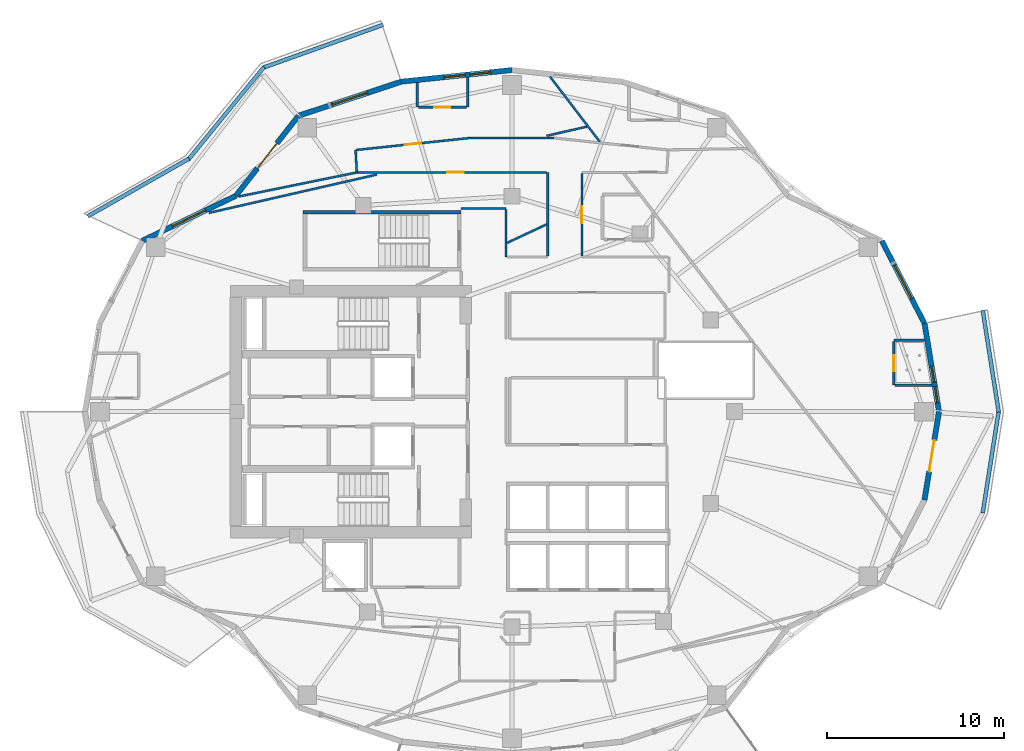
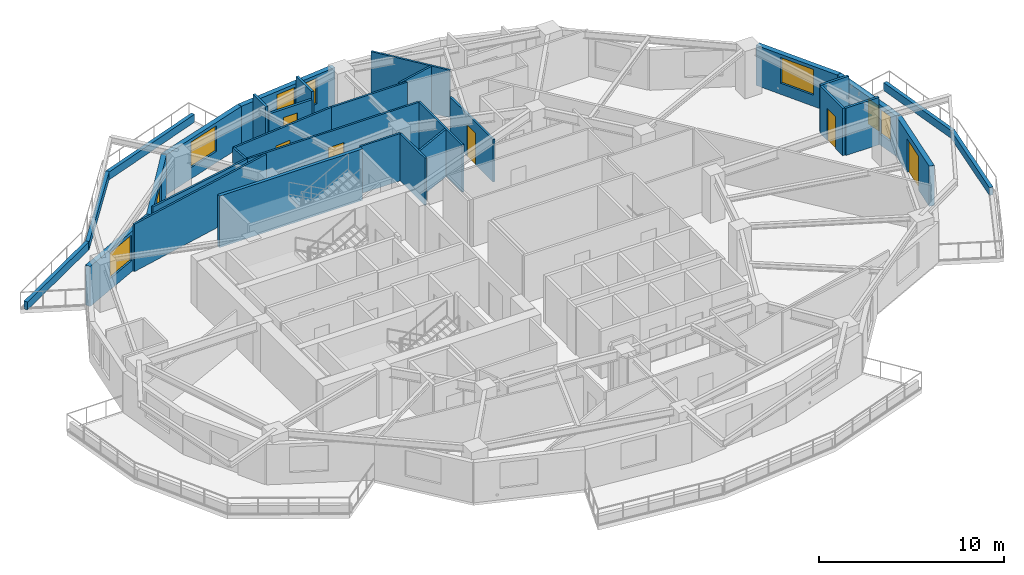
# One storey, part 6 of 14: 32 walls, 7 doors, 7 windows, 14 openings.
"""IFC4 building model written with IfcOpenShell, lengths in metres."""

import ifcopenshell
import ifcopenshell.guid

model = None  # the IFC model being written
_history = None  # IfcOwnerHistory: only IFC2X3 demands one
_inside = {}  # id of a spatial element -> (the spatial element, [elements in it])
_under = {}  # id of a project, library or spatial element -> (it, [spatial elements below it])
_declared = {}  # id of a project -> (the project, [libraries it declares])
_typed = {}  # id of a type object -> (the type object, [elements of that type])
_made_of = {}  # id of a material, layer set ... -> (it, [elements and type objects made of it])


def new_model(schema):
    """Start an empty IFC model of exactly this schema.

    Asked for "IFC4X3", IfcOpenShell would pick the latest addendum, in which some entities
    have other attributes; the version numbers below select the first issue.
    IFC2X3 requires an IfcOwnerHistory on every rooted entity: one is made here for all.
    """
    global model, _history
    if schema == "IFC4X3":
        model = ifcopenshell.file(schema_version=(4, 3, 0, 0))
    else:
        model = ifcopenshell.file(schema=schema)
    _inside.clear()
    _under.clear()
    _declared.clear()
    _typed.clear()
    _made_of.clear()
    _history = None
    if model.schema == "IFC2X3":
        org = make("IfcOrganization", Name="unknown")
        user = make(
            "IfcPersonAndOrganization",
            ThePerson=make("IfcPerson", FamilyName="unknown"),
            TheOrganization=org,
        )
        app = make(
            "IfcApplication",
            ApplicationDeveloper=org,
            Version="unknown",
            ApplicationFullName="unknown",
            ApplicationIdentifier="unknown",
        )
        _history = make(
            "IfcOwnerHistory",
            OwningUser=user,
            OwningApplication=app,
            ChangeAction="ADDED",
            CreationDate=0,
        )
    return model


def make(cls, **values):
    """One entity of the class cls with the attributes given. An attribute that is None is left unset."""
    return model.create_entity(
        cls, **{name: value for name, value in values.items() if value is not None}
    )


def rooted(cls, **values):
    """An entity with a GlobalId (a new one), such as an element, a storey or a relation."""
    return make(cls, GlobalId=ifcopenshell.guid.new(), OwnerHistory=_history, **values)


def si_unit(unit_type, name, prefix=None):
    """IfcSIUnit, for example si_unit("LENGTHUNIT", "METRE", prefix="MILLI")."""
    return make("IfcSIUnit", UnitType=unit_type, Prefix=prefix, Name=name)


def assignment(units):
    """IfcUnitAssignment: the units of a project."""
    return None if units is None else make("IfcUnitAssignment", Units=units)


def point(xyz):
    """IfcCartesianPoint."""
    return None if xyz is None else make("IfcCartesianPoint", Coordinates=xyz)


def direction(xyz):
    """IfcDirection."""
    return None if xyz is None else make("IfcDirection", DirectionRatios=xyz)


def frame(location, z_axis=None, x_axis=None):
    """IfcAxis2Placement3D, a coordinate frame: its origin and axes. An axis left out is left unset."""
    return make(
        "IfcAxis2Placement3D",
        Location=point(location),
        Axis=direction(z_axis),
        RefDirection=direction(x_axis),
    )


def frame_2d(location, x_axis=None):
    """IfcAxis2Placement2D, a coordinate frame in the plane: its origin and x axis."""
    return make(
        "IfcAxis2Placement2D", Location=point(location), RefDirection=direction(x_axis)
    )


def origin():
    """The frame at (0, 0, 0) with its axes left unset."""
    return frame((0.0, 0.0, 0.0))


def place(relative_to, where):
    """IfcLocalPlacement: puts the frame where relative to a parent placement (None: the world)."""
    return make(
        "IfcLocalPlacement", PlacementRelTo=relative_to, RelativePlacement=where
    )


def context(
    kind, dimensions, precision=None, world=None, true_north=None, identifier=None
):
    """IfcGeometricRepresentationContext, for example the 3D "Model" context."""
    return make(
        "IfcGeometricRepresentationContext",
        ContextIdentifier=identifier,
        ContextType=kind,
        CoordinateSpaceDimension=dimensions,
        Precision=precision,
        WorldCoordinateSystem=world,
        TrueNorth=true_north,
    )


def subcontext(parent, identifier, kind, view, scale=None):
    """IfcGeometricRepresentationSubContext, for example "Body" below "Model"."""
    return make(
        "IfcGeometricRepresentationSubContext",
        ContextIdentifier=identifier,
        ContextType=kind,
        ParentContext=parent,
        TargetScale=scale,
        TargetView=view,
    )


def project(units=None, contexts=None):
    """IfcProject with its units and contexts."""
    return rooted(
        "IfcProject",
        Name="project",
        RepresentationContexts=contexts,
        UnitsInContext=assignment(units),
    )


def spatial(cls, under=None, at=None, **own):
    """A site, building, storey or space (cls), placed at a placement, below another one or the project."""
    s = rooted(cls, ObjectPlacement=at, **own)
    if under is not None:
        _under.setdefault(under.id(), (under, []))[1].append(s)
    return s


def profile(cls, at=None, kind="AREA", **sizes):
    """A parametric profile (cls). Its sizes go by their IFC names, for example OverallWidth=200.0."""
    return make(cls, ProfileType=kind, Position=at, **sizes)


def rectangle(**sizes):
    """IfcRectangleProfileDef."""
    return profile("IfcRectangleProfileDef", **sizes)


def extrude(swept, where, along, depth):
    """IfcExtrudedAreaSolid: the profile swept, set in the frame where, extruded along a direction by depth."""
    return make(
        "IfcExtrudedAreaSolid",
        SweptArea=swept,
        Position=where,
        ExtrudedDirection=direction(along),
        Depth=depth,
    )


def shape(context_of_items, identifier, shape_type, items):
    """IfcShapeRepresentation: the items that make up one representation, for example the "Body"."""
    return make(
        "IfcShapeRepresentation",
        ContextOfItems=context_of_items,
        RepresentationIdentifier=identifier,
        RepresentationType=shape_type,
        Items=items,
    )


def material(Name=None, Category=None):
    """IfcMaterial."""
    return make("IfcMaterial", Name=Name, Category=Category)


def layer(
    of_material, thickness, ventilated=None, Name=None, Category=None, Priority=None
):
    """IfcMaterialLayer: one layer of a wall or slab, of a material (None: an air gap)."""
    return make(
        "IfcMaterialLayer",
        Material=of_material,
        LayerThickness=thickness,
        IsVentilated=ventilated,
        Name=Name,
        Category=Category,
        Priority=Priority,
    )


def layer_set(layers, Name=None):
    """IfcMaterialLayerSet."""
    return make("IfcMaterialLayerSet", MaterialLayers=layers, LayerSetName=Name)


def made_of(thing, what):
    """Note that an element or type object is made of a material, layer set ...; save() writes the relation."""
    if what is not None:
        _made_of.setdefault(what.id(), (what, []))[1].append(thing)
    return thing


def type_object(cls, material=None, **own):
    """A type object (cls), such as IfcWallType, which elements share."""
    return made_of(rooted(cls, **own), material)


def element(
    cls,
    number,
    at=None,
    inside=None,
    cuts=None,
    type_object=None,
    material=None,
    context=None,
    identifier="Body",
    shape_type=None,
    held_by="IfcProductDefinitionShape",
    body=None,
    shapes=None,
    **own,
):
    """One element of the class cls, such as IfcWall. Its Tag is "e" and its number.

    at: its placement. inside: the storey or other place that contains it. cuts: it is an
    opening in that element (IfcRelVoidsElement). A single representation is given by context,
    identifier, shape_type and body (its items); several are given by shapes. held_by: the class
    of the entity that holds the representations. save() writes the other relations.
    """
    e = rooted(cls, Tag="e%d" % number, ObjectPlacement=at, **own)
    if body is not None:
        shapes = [shape(context, identifier, shape_type, body)]
    if shapes is not None:
        e.Representation = make(held_by, Representations=shapes)
    if inside is not None:
        _inside.setdefault(inside.id(), (inside, []))[1].append(e)
    if cuts is not None:
        rooted(
            "IfcRelVoidsElement", RelatingBuildingElement=cuts, RelatedOpeningElement=e
        )
    if type_object is not None:
        _typed.setdefault(type_object.id(), (type_object, []))[1].append(e)
    return made_of(e, material)


def fill(opening, filler):
    """IfcRelFillsElement: the door or window that sits in an opening."""
    return rooted(
        "IfcRelFillsElement",
        RelatingOpeningElement=opening,
        RelatedBuildingElement=filler,
    )


def aggregate(whole, parts):
    """IfcRelAggregates: a whole, such as a stair, and the parts it consists of."""
    return rooted("IfcRelAggregates", RelatingObject=whole, RelatedObjects=parts)


def save(model, path):
    """Write the relations noted so far, then the file.

    IfcRelAggregates (storeys below a building ...), IfcRelContainedInSpatialStructure (elements
    in a storey), IfcRelDefinesByType, IfcRelAssociatesMaterial and IfcRelDeclares: one each for
    every whole, place, type object, material and project.
    """
    for whole, parts in _under.values():
        aggregate(whole, parts)
    for where, things in _inside.values():
        rooted(
            "IfcRelContainedInSpatialStructure",
            RelatedElements=things,
            RelatingStructure=where,
        )
    for kind, things in _typed.values():
        rooted("IfcRelDefinesByType", RelatedObjects=things, RelatingType=kind)
    for what, things in _made_of.values():
        rooted("IfcRelAssociatesMaterial", RelatedObjects=things, RelatingMaterial=what)
    for by, libraries in _declared.values():
        rooted("IfcRelDeclares", RelatingContext=by, RelatedDefinitions=libraries)
    model.write(path)


model = new_model("IFC4")

# Units and contexts
model_context = context("Model", 3, precision=1e-05, world=origin(), true_north=direction((0.0, 1.0)))
body_context = subcontext(model_context, "Body", "Model", "MODEL_VIEW")
ifc_project = project(units=[si_unit("LENGTHUNIT", "METRE"), si_unit("AREAUNIT", "SQUARE_METRE"), si_unit("VOLUMEUNIT", "CUBIC_METRE"), si_unit("PLANEANGLEUNIT", "RADIAN"), si_unit("MASSUNIT", "GRAM", prefix="KILO")], contexts=[model_context])

# Site, building, storey
site_placement = place(None, origin())
site = spatial("IfcSite", under=ifc_project, at=site_placement, CompositionType="ELEMENT")
building_placement = place(site_placement, origin())
building = spatial("IfcBuilding", under=site, at=building_placement, Name="Kolvaren Gate Tower and Convention Centre", CompositionType="ELEMENT")
storey_placement = place(building_placement, frame((0.0, 0.0, 118.89990234375)))
storey = spatial("IfcBuildingStorey", under=building, at=storey_placement, Name="L29", CompositionType="ELEMENT", Elevation=118.89990234375)

# Walls
ifc_material_1 = material(Name="Fire-Rated Acoustic Gypsum Stud Partition", Category="gypsum")
ifc_layer_1 = layer(ifc_material_1, 0.1201171875)
ifc_layer_set_1 = layer_set([ifc_layer_1], Name="Fire-Rated Acoustic Gypsum Stud Partition")
wall_type_1 = type_object("IfcWallType", Name="ARCH-WL-PART-120", PredefinedType="PARTITIONING", material=ifc_layer_set_1)
wall_1_placement = place(storey_placement, frame((21.263916015625, 41.81787109375, 0.0), z_axis=(0.0, 0.0, 1.0), x_axis=(0.0574492264, -0.99834842935, 0.0)))
element("IfcWall", 1, at=wall_1_placement, inside=storey, type_object=wall_type_1, Name="Interior Partition WL-L29-INT-030", PredefinedType="PARTITIONING", context=body_context, shape_type="SweptSolid", body=[
    extrude(rectangle(XDim=1.270751953125, YDim=0.1201171875, at=frame_2d((0.63525390625, 0.0))), origin(), (0.0, 0.0, 1.0), 3.130126953125),
])
wall_2_placement = place(storey_placement, frame((27.25, 38.5, 0.0), z_axis=(0.0, 0.0, 1.0), x_axis=(1.0, 0.0, 0.0)))
element("IfcWall", 2, at=wall_2_placement, inside=storey, type_object=wall_type_1, Name="Interior Partition WL-L29-INT-034", PredefinedType="PARTITIONING", context=body_context, shape_type="SweptSolid", body=[
    extrude(rectangle(XDim=2.530029296875, YDim=0.1201171875, at=frame_2d((1.26513671875, 0.0))), origin(), (0.0, 0.0, 1.0), 3.130126953125),
])
wall_3_placement = place(storey_placement, frame((29.780029296875, 35.75, 0.0), z_axis=(0.0, 0.0, 1.0), x_axis=(0.0, 1.0, 0.0)))
element("IfcWall", 3, at=wall_3_placement, inside=storey, type_object=wall_type_1, Name="Interior Partition WL-L29-INT-038", PredefinedType="PARTITIONING", context=body_context, shape_type="SweptSolid", body=[
    extrude(rectangle(XDim=2.68798828125, YDim=0.1201171875, at=frame_2d((1.343994140625, 0.0))), origin(), (0.0, 0.0, 1.0), 3.130126953125),
])
wall_4_placement = place(storey_placement, frame((32.14990234375, 35.81201171875, 0.0), z_axis=(0.0, 0.0, 1.0), x_axis=(0.0, 1.0, 0.0)))
element("IfcWall", 4, at=wall_4_placement, inside=storey, type_object=wall_type_1, Name="Interior Partition WL-L29-INT-041", PredefinedType="PARTITIONING", context=body_context, shape_type="SweptSolid", body=[
    extrude(rectangle(XDim=4.738037109375, YDim=0.1201171875, at=frame_2d((2.369140625, 0.0))), origin(), (0.0, 0.0, 1.0), 3.130126953125),
])

# Wall, opening, door
wall_5_placement = place(storey_placement, frame((21.3505859375, 40.550048828125, 0.0), z_axis=(0.0, 0.0, 1.0), x_axis=(1.0, 0.0, 0.0)))
wall_5 = element("IfcWall", 5, at=wall_5_placement, inside=storey, type_object=wall_type_1, Name="Interior Partition WL-L29-INT-042", PredefinedType="PARTITIONING", context=body_context, shape_type="SweptSolid", body=[
    extrude(rectangle(XDim=10.7373046875, YDim=0.1201171875, at=frame_2d((5.36865234375, 0.0))), origin(), (0.0, 0.0, 1.0), 3.130126953125),
])
opening_1_placement = place(wall_5_placement, frame((5.097900390625, 0.0, 0.0)))
opening_1 = element("IfcOpeningElement", 6, at=opening_1_placement, cuts=wall_5, Name="Opening DR-01", PredefinedType="OPENING", context=body_context, shape_type="SweptSolid", body=[
    extrude(rectangle(XDim=0.949951171875, YDim=2.10009765625, at=frame_2d((0.47509765625, 1.050048828125))), frame((0.0, 0.070068359375, 0.0), z_axis=(0.0, -1.0, 0.0), x_axis=(1.0, 0.0, 0.0)), (0.0, 0.0, 1.0), 0.14013671875),
])
ifc_material_2 = material(Name="Painted Architectural Steelwork ASTM A500 Grade C 345 MPa", Category="steel")
door_type_1 = type_object("IfcDoorType", Name="ARCH-DR-RISER-950", OperationType="SINGLE_SWING_RIGHT", PredefinedType="DOOR", material=ifc_material_2)
door_1_placement = place(opening_1_placement, origin())
door_1 = element("IfcDoor", 7, at=door_1_placement, inside=storey, type_object=door_type_1, Name="Deluxe Hotel Suite (HTL-L29-09) Door", OperationType="SINGLE_SWING_LEFT", OverallHeight=2.10009765625, OverallWidth=0.949951171875, PredefinedType="DOOR", context=body_context, shape_type="SweptSolid", body=[
    extrude(rectangle(XDim=0.949951171875, YDim=2.10009765625, at=frame_2d((0.47509765625, 1.050048828125))), frame((0.0, 0.02490234375, 0.0), z_axis=(0.0, -1.0, 0.0), x_axis=(1.0, 0.0, 0.0)), (0.0, 0.0, 1.0), 0.050048828125),
])
fill(opening_1, door_1)

wall_6_placement = place(storey_placement, frame((21.282958984375, 41.819091796875, 0.0), z_axis=(0.0, 0.0, 1.0), x_axis=(0.994501131299, 0.104725831799, 0.0)))
wall_6 = element("IfcWall", 8, at=wall_6_placement, inside=storey, type_object=wall_type_1, Name="Interior Partition WL-L29-INT-044", PredefinedType="PARTITIONING", context=body_context, shape_type="SweptSolid", body=[
    extrude(rectangle(XDim=6.501708984375, YDim=0.1201171875, at=frame_2d((3.2509765625, 0.0))), origin(), (0.0, 0.0, 1.0), 3.130126953125),
])
opening_2_placement = place(wall_6_placement, frame((2.77587890625, 0.0, 0.0)))
opening_2 = element("IfcOpeningElement", 9, at=opening_2_placement, cuts=wall_6, Name="Opening DR-01", PredefinedType="OPENING", context=body_context, shape_type="SweptSolid", body=[
    extrude(rectangle(XDim=0.949951171875, YDim=2.10009765625, at=frame_2d((0.47509765625, 1.050048828125))), frame((0.0, 0.070068359375, 0.0), z_axis=(0.0, -1.0, 0.0), x_axis=(1.0, 0.0, 0.0)), (0.0, 0.0, 1.0), 0.14013671875),
])
door_2_placement = place(opening_2_placement, origin())
door_2 = element("IfcDoor", 10, at=door_2_placement, inside=storey, type_object=door_type_1, Name="Hotel Guest Room (HTL-L29-08) Door", OperationType="SINGLE_SWING_RIGHT", OverallHeight=2.10009765625, OverallWidth=0.949951171875, PredefinedType="DOOR", context=body_context, shape_type="SweptSolid", body=[
    extrude(rectangle(XDim=0.949951171875, YDim=2.10009765625, at=frame_2d((0.47509765625, 1.050048828125))), frame((0.0, 0.02490234375, 0.0), z_axis=(0.0, -1.0, 0.0), x_axis=(1.0, 0.0, 0.0)), (0.0, 0.0, 1.0), 0.050048828125),
])
fill(opening_2, door_2)

# Wall
wall_7_placement = place(storey_placement, frame((27.7490234375, 42.5, 0.0), z_axis=(0.0, 0.0, 1.0), x_axis=(1.0, 0.0, 0.0)))
element("IfcWall", 11, at=wall_7_placement, inside=storey, type_object=wall_type_1, Name="Interior Partition WL-L29-INT-045", PredefinedType="PARTITIONING", context=body_context, shape_type="SweptSolid", body=[
    extrude(rectangle(XDim=4.751953125, YDim=0.1201171875, at=frame_2d((2.3759765625, 0.0))), origin(), (0.0, 0.0, 1.0), 3.130126953125),
])

# Wall, opening, door
wall_8_placement = place(storey_placement, frame((34.080078125, 35.81201171875, 0.0), z_axis=(0.0, 0.0, 1.0), x_axis=(0.0, 1.0, 0.0)))
wall_8 = element("IfcWall", 12, at=wall_8_placement, inside=storey, type_object=wall_type_1, Name="Interior Partition WL-L29-INT-048", PredefinedType="PARTITIONING", context=body_context, shape_type="SweptSolid", body=[
    extrude(rectangle(XDim=4.676025390625, YDim=0.1201171875, at=frame_2d((2.337890625, 0.0))), origin(), (0.0, 0.0, 1.0), 2.81201171875),
])
opening_3_placement = place(wall_8_placement, frame((1.863037109375, 0.0, 0.0)))
opening_3 = element("IfcOpeningElement", 13, at=opening_3_placement, cuts=wall_8, Name="Opening DR-01", PredefinedType="OPENING", context=body_context, shape_type="SweptSolid", body=[
    extrude(rectangle(XDim=0.949951171875, YDim=2.10009765625, at=frame_2d((0.47509765625, 1.050048828125))), frame((0.0, 0.070068359375, 0.0), z_axis=(0.0, -1.0, 0.0), x_axis=(1.0, 0.0, 0.0)), (0.0, 0.0, 1.0), 0.14013671875),
])
door_3_placement = place(opening_3_placement, origin())
door_3 = element("IfcDoor", 14, at=door_3_placement, inside=storey, type_object=door_type_1, Name="Hotel Guest Room (HTL-L29-06) Door", OperationType="SINGLE_SWING_RIGHT", OverallHeight=2.10009765625, OverallWidth=0.949951171875, PredefinedType="DOOR", context=body_context, shape_type="SweptSolid", body=[
    extrude(rectangle(XDim=0.949951171875, YDim=2.10009765625, at=frame_2d((0.47509765625, 1.050048828125))), frame((0.0, 0.02490234375, 0.0), z_axis=(0.0, -1.0, 0.0), x_axis=(1.0, 0.0, 0.0)), (0.0, 0.0, 1.0), 0.050048828125),
])
fill(opening_3, door_3)

# Walls
wall_9_placement = place(storey_placement, frame((29.842041015625, 36.55615234375, 0.0), z_axis=(0.0, 0.0, 1.0), x_axis=(0.905800400319, 0.423704655133, 0.0)))
element("IfcWall", 15, at=wall_9_placement, inside=storey, type_object=wall_type_1, Name="Interior Partition WL-L29-INT-057", PredefinedType="PARTITIONING", context=body_context, shape_type="SweptSolid", body=[
    extrude(rectangle(XDim=2.4794921875, YDim=0.1201171875, at=frame_2d((1.23974609375, 0.0))), origin(), (0.0, 0.0, 1.0), 3.130126953125),
])
wall_10_placement = place(storey_placement, frame((32.2802734375, 45.97021484375, 0.0), z_axis=(0.0, 0.0, 1.0), x_axis=(0.607060694389, -0.794655468318, 0.0)))
element("IfcWall", 16, at=wall_10_placement, inside=storey, type_object=wall_type_1, Name="Interior Partition WL-L29-INT-066", PredefinedType="PARTITIONING", context=body_context, shape_type="SweptSolid", body=[
    extrude(rectangle(XDim=4.6318359375, YDim=0.1201171875, at=frame_2d((2.31591796875, 0.0))), origin(), (0.0, 0.0, 1.0), 3.130126953125),
])
wall_11_placement = place(storey_placement, frame((12.960693359375, 38.25732421875, 0.0), z_axis=(0.0, 0.0, 1.0), x_axis=(0.974943994821, 0.222450459567, 0.0)))
element("IfcWall", 17, at=wall_11_placement, inside=storey, type_object=wall_type_1, Name="Interior Partition WL-L29-INT-083", PredefinedType="PARTITIONING", context=body_context, shape_type="SweptSolid", body=[
    extrude(rectangle(XDim=9.7578125, YDim=0.1201171875, at=frame_2d((4.87890625, 0.0))), origin(), (0.0, 0.0, 1.0), 3.130126953125),
])
wall_12_placement = place(storey_placement, frame((32.089599609375, 42.6220703125, 0.0), z_axis=(0.0, 0.0, 1.0), x_axis=(0.974947431387, 0.222435397434, 0.0)))
element("IfcWall", 18, at=wall_12_placement, inside=storey, type_object=wall_type_1, Name="Interior Partition WL-L29-INT-084", PredefinedType="PARTITIONING", context=body_context, shape_type="SweptSolid", body=[
    extrude(rectangle(XDim=2.332275390625, YDim=0.1201171875, at=frame_2d((1.166015625, 0.0))), origin(), (0.0, 0.0, 1.0), 3.130126953125),
])
wall_13_placement = place(storey_placement, frame((14.6416015625, 39.18115234375, 0.0), z_axis=(0.0, 0.0, 1.0), x_axis=(0.979813468357, 0.199913899534, 0.0)))
element("IfcWall", 19, at=wall_13_placement, inside=storey, type_object=wall_type_1, Name="Interior Partition WL-L29-INT-085", PredefinedType="PARTITIONING", context=body_context, shape_type="SweptSolid", body=[
    extrude(rectangle(XDim=6.84619140625, YDim=0.1201171875, at=frame_2d((3.423095703125, 0.0))), origin(), (0.0, 0.0, 1.0), 3.130126953125),
])
ifc_material_3 = material(Name="Piedmont Cream Honed Limestone Cladding", Category="masonry")
ifc_layer_2 = layer(ifc_material_3, 0.219970703125)
ifc_layer_set_2 = layer_set([ifc_layer_2], Name="Piedmont Cream Honed Limestone Cladding")
wall_type_2 = type_object("IfcWallType", Name="ARCH-WL-PLANTER-220", PredefinedType="PARAPET", material=ifc_layer_set_2)
wall_14_placement = place(storey_placement, frame((16.01806640625, 46.476806640625, 0.0), z_axis=(0.0, 0.0, 1.0), x_axis=(0.941628873241, 0.336652736627, 0.0)))
element("IfcWall", 20, at=wall_14_placement, inside=storey, type_object=wall_type_2, Name="Vertical-Forest Balcony Stone Planter Kerb PK-L29-1.1", PredefinedType="PARAPET", context=body_context, shape_type="SweptSolid", body=[
    extrude(rectangle(XDim=7.2353515625, YDim=0.219970703125, at=frame_2d((3.61767578125, 0.0))), origin(), (0.0, 0.0, 1.0), 0.52001953125),
])
wall_15_placement = place(storey_placement, frame((11.791015625, 41.274169921875, 0.0), z_axis=(0.0, 0.0, 1.0), x_axis=(0.633024046468, 0.774132131224, 0.0)))
element("IfcWall", 21, at=wall_15_placement, inside=storey, type_object=wall_type_2, Name="Vertical-Forest Balcony Stone Planter Kerb PK-L29-1.2", PredefinedType="PARAPET", context=body_context, shape_type="SweptSolid", body=[
    extrude(rectangle(XDim=6.780517578125, YDim=0.219970703125, at=frame_2d((3.39013671875, 0.0))), origin(), (0.0, 0.0, 1.0), 0.52001953125),
])
wall_16_placement = place(storey_placement, frame((6.095458984375, 38.065673828125, 0.0), z_axis=(0.0, 0.0, 1.0), x_axis=(0.869187658335, 0.494482370361, 0.0)))
element("IfcWall", 22, at=wall_16_placement, inside=storey, type_object=wall_type_2, Name="Vertical-Forest Balcony Stone Planter Kerb PK-L29-1.3", PredefinedType="PARAPET", context=body_context, shape_type="SweptSolid", body=[
    extrude(rectangle(XDim=6.606201171875, YDim=0.219970703125, at=frame_2d((3.30322265625, 0.0))), origin(), (0.0, 0.0, 1.0), 0.52001953125),
])
for number, where, z_axis, x_axis, name in (
    (23, (56.78857421875, 21.254150390625, 0.0), (0.0, 0.0, 1.0), (0.154903030247, 0.987929679289, 0.0), "Vertical-Forest Balcony Stone Planter Kerb PK-L29-4.2"),
    (24, (56.78857421875, 32.745849609375, 0.0), (0.0, 0.0, 1.0), (0.154903030247, -0.987929679289, 0.0), "Vertical-Forest Balcony Stone Planter Kerb PK-L29-4.3"),
):
    element("IfcWall", number, at=place(storey_placement, frame(where, z_axis=z_axis, x_axis=x_axis)), inside=storey, type_object=wall_type_2, Name=name, PredefinedType="PARAPET", context=body_context, shape_type="SweptSolid", body=[
        extrude(rectangle(XDim=5.845703125, YDim=0.219970703125, at=frame_2d((2.9228515625, 0.0))), origin(), (0.0, 0.0, 1.0), 0.52001953125),
    ])

# Wall, openings, windows
ifc_layer_3 = layer(ifc_material_3, 0.300048828125)
ifc_layer_set_3 = layer_set([ifc_layer_3], Name="Piedmont Cream Honed Limestone Cladding")
wall_type_3 = type_object("IfcWallType", Name="ARCH-WL-STONE-300", PredefinedType="SOLIDWALL", material=ifc_layer_set_3)
wall_17_placement = place(storey_placement, frame((53.48828125, 32.008056640625, 0.0), z_axis=(0.0, 0.0, 1.0), x_axis=(0.162393944769, -0.986726003864, 0.0)))
wall_17 = element("IfcWall", 25, at=wall_17_placement, inside=storey, type_object=wall_type_3, Name="Tower L29 Honed Stone Spandrel Wall EW-00", PredefinedType="SOLIDWALL", context=body_context, shape_type="SweptSolid", body=[
    extrude(rectangle(XDim=5.075439453125, YDim=0.300048828125, at=frame_2d((2.53759765625, 0.0))), origin(), (0.0, 0.0, 1.0), 2.653076171875),
])
opening_4_placement = place(wall_17_placement, frame((2.489990234375, 0.0, 0.719970703125)))
opening_4 = element("IfcOpeningElement", 26, at=opening_4_placement, cuts=wall_17, Name="Opening W-06", PredefinedType="OPENING", context=body_context, shape_type="SweptSolid", body=[
    extrude(rectangle(XDim=0.89990234375, YDim=1.64990234375, at=frame_2d((0.449951171875, 0.824951171875))), frame((0.0, 0.159912109375, 0.0), z_axis=(0.0, -1.0, 0.0), x_axis=(1.0, 0.0, 0.0)), (0.0, 0.0, 1.0), 0.320068359375),
])
opening_5_placement = place(wall_17_placement, frame((3.660400390625, 0.0, 0.719970703125)))
opening_5 = element("IfcOpeningElement", 27, at=opening_5_placement, cuts=wall_17, Name="Opening W-06", PredefinedType="OPENING", context=body_context, shape_type="SweptSolid", body=[
    extrude(rectangle(XDim=0.89990234375, YDim=1.64990234375, at=frame_2d((0.449951171875, 0.824951171875))), frame((0.0, 0.159912109375, 0.0), z_axis=(0.0, -1.0, 0.0), x_axis=(1.0, 0.0, 0.0)), (0.0, 0.0, 1.0), 0.320068359375),
])
ifc_material_4 = material(Name="Low-E Triple Insulated Glazing Unit 44 mm", Category="glass")
window_type_1 = type_object("IfcWindowType", Name="ARCH-WN-PUNCH-900", PartitioningType="SINGLE_PANEL", PredefinedType="WINDOW", material=ifc_material_4)
window_1_placement = place(opening_4_placement, origin())
window_1 = element("IfcWindow", 28, at=window_1_placement, inside=storey, type_object=window_type_1, Name="Tower L29 Punched Stone Facade Window W-00", OverallHeight=1.64990234375, OverallWidth=0.89990234375, PartitioningType="SINGLE_PANEL", PredefinedType="WINDOW", context=body_context, shape_type="SweptSolid", body=[
    extrude(rectangle(XDim=0.89990234375, YDim=1.64990234375, at=frame_2d((0.449951171875, 0.824951171875))), frame((0.0, 0.030029296875, 0.0), z_axis=(0.0, -1.0, 0.0), x_axis=(1.0, 0.0, 0.0)), (0.0, 0.0, 1.0), 0.06005859375),
])
fill(opening_4, window_1)
window_2_placement = place(opening_5_placement, origin())
window_2 = element("IfcWindow", 29, at=window_2_placement, inside=storey, type_object=window_type_1, Name="Tower L29 Punched Stone Facade Window W-00B", OverallHeight=1.64990234375, OverallWidth=0.89990234375, PartitioningType="SINGLE_PANEL", PredefinedType="WINDOW", context=body_context, shape_type="SweptSolid", body=[
    extrude(rectangle(XDim=0.89990234375, YDim=1.64990234375, at=frame_2d((0.449951171875, 0.824951171875))), frame((0.0, 0.030029296875, 0.0), z_axis=(0.0, -1.0, 0.0), x_axis=(1.0, 0.0, 0.0)), (0.0, 0.0, 1.0), 0.06005859375),
])
fill(opening_5, window_2)

# Wall, opening, window
wall_18_placement = place(storey_placement, frame((51.072021484375, 36.675048828125, 0.0), z_axis=(0.0, 0.0, 1.0), x_axis=(0.459767899643, -0.888039119892, 0.0)))
wall_18 = element("IfcWall", 30, at=wall_18_placement, inside=storey, type_object=wall_type_3, Name="Tower L29 Honed Stone Spandrel Wall EW-01", PredefinedType="SOLIDWALL", context=body_context, shape_type="SweptSolid", body=[
    extrude(rectangle(XDim=5.25537109375, YDim=0.300048828125, at=frame_2d((2.627685546875, 0.0))), origin(), (0.0, 0.0, 1.0), 2.653076171875),
])
opening_6_placement = place(wall_18_placement, frame((1.577880859375, 0.0, 0.739990234375)))
opening_6 = element("IfcOpeningElement", 31, at=opening_6_placement, cuts=wall_18, Name="Opening W-02", PredefinedType="OPENING", context=body_context, shape_type="SweptSolid", body=[
    extrude(rectangle(XDim=2.10009765625, YDim=1.699951171875, at=frame_2d((1.050048828125, 0.85009765625))), frame((0.0, 0.159912109375, 0.0), z_axis=(0.0, -1.0, 0.0), x_axis=(1.0, 0.0, 0.0)), (0.0, 0.0, 1.0), 0.320068359375),
])
window_type_2 = type_object("IfcWindowType", Name="ARCH-WN-HTL-2100", PartitioningType="SINGLE_PANEL", PredefinedType="WINDOW", material=ifc_material_4)
window_3_placement = place(opening_6_placement, origin())
window_3 = element("IfcWindow", 32, at=window_3_placement, inside=storey, type_object=window_type_2, Name="Tower L29 Punched Stone Facade Window W-01", OverallHeight=1.699951171875, OverallWidth=2.10009765625, PartitioningType="SINGLE_PANEL", PredefinedType="WINDOW", context=body_context, shape_type="SweptSolid", body=[
    extrude(rectangle(XDim=2.10009765625, YDim=1.699951171875, at=frame_2d((1.050048828125, 0.85009765625))), frame((0.0, 0.030029296875, 0.0), z_axis=(0.0, -1.0, 0.0), x_axis=(1.0, 0.0, 0.0)), (0.0, 0.0, 1.0), 0.06005859375),
])
fill(opening_6, window_3)

# Wall, openings, windows
wall_19_placement = place(storey_placement, frame((23.86474609375, 45.690673828125, 0.0), z_axis=(0.0, 0.0, 1.0), x_axis=(0.994498012394, 0.104755445421, 0.0)))
wall_19 = element("IfcWall", 33, at=wall_19_placement, inside=storey, type_object=wall_type_3, Name="Tower L29 Honed Stone Spandrel Wall EW-06", PredefinedType="SOLIDWALL", context=body_context, shape_type="SweptSolid", body=[
    extrude(rectangle(XDim=6.294921875, YDim=0.300048828125, at=frame_2d((3.1474609375, 0.0))), origin(), (0.0, 0.0, 1.0), 2.653076171875),
])
opening_7_placement = place(wall_19_placement, frame((2.42333984375, 0.0, 0.739990234375)))
opening_7 = element("IfcOpeningElement", 34, at=opening_7_placement, cuts=wall_19, Name="Opening W-04", PredefinedType="OPENING", context=body_context, shape_type="SweptSolid", body=[
    extrude(rectangle(XDim=1.199951171875, YDim=1.699951171875, at=frame_2d((0.60009765625, 0.85009765625))), frame((0.0, 0.159912109375, 0.0), z_axis=(0.0, -1.0, 0.0), x_axis=(1.0, 0.0, 0.0)), (0.0, 0.0, 1.0), 0.320068359375),
])
opening_8_placement = place(wall_19_placement, frame((3.889892578125, 0.0, 0.739990234375)))
opening_8 = element("IfcOpeningElement", 35, at=opening_8_placement, cuts=wall_19, Name="Opening W-04", PredefinedType="OPENING", context=body_context, shape_type="SweptSolid", body=[
    extrude(rectangle(XDim=1.199951171875, YDim=1.699951171875, at=frame_2d((0.60009765625, 0.85009765625))), frame((0.0, 0.159912109375, 0.0), z_axis=(0.0, -1.0, 0.0), x_axis=(1.0, 0.0, 0.0)), (0.0, 0.0, 1.0), 0.320068359375),
])
window_type_3 = type_object("IfcWindowType", Name="ARCH-WN-NARROW-1200", PartitioningType="SINGLE_PANEL", PredefinedType="WINDOW", material=ifc_material_4)
window_4_placement = place(opening_7_placement, origin())
window_4 = element("IfcWindow", 36, at=window_4_placement, inside=storey, type_object=window_type_3, Name="Tower L29 Punched Stone Facade Window W-06", OverallHeight=1.699951171875, OverallWidth=1.199951171875, PartitioningType="SINGLE_PANEL", PredefinedType="WINDOW", context=body_context, shape_type="SweptSolid", body=[
    extrude(rectangle(XDim=1.199951171875, YDim=1.699951171875, at=frame_2d((0.60009765625, 0.85009765625))), frame((0.0, 0.030029296875, 0.0), z_axis=(0.0, -1.0, 0.0), x_axis=(1.0, 0.0, 0.0)), (0.0, 0.0, 1.0), 0.06005859375),
])
fill(opening_7, window_4)
window_5_placement = place(opening_8_placement, origin())
window_5 = element("IfcWindow", 37, at=window_5_placement, inside=storey, type_object=window_type_3, Name="Tower L29 Punched Stone Facade Window W-06B", OverallHeight=1.699951171875, OverallWidth=1.199951171875, PartitioningType="SINGLE_PANEL", PredefinedType="WINDOW", context=body_context, shape_type="SweptSolid", body=[
    extrude(rectangle(XDim=1.199951171875, YDim=1.699951171875, at=frame_2d((0.60009765625, 0.85009765625))), frame((0.0, 0.030029296875, 0.0), z_axis=(0.0, -1.0, 0.0), x_axis=(1.0, 0.0, 0.0)), (0.0, 0.0, 1.0), 0.06005859375),
])
fill(opening_8, window_5)

# Wall, opening, window
wall_20_placement = place(storey_placement, frame((18.03125, 43.757568359375, 0.0), z_axis=(0.0, 0.0, 1.0), x_axis=(0.949238009374, 0.314558741032, 0.0)))
wall_20 = element("IfcWall", 38, at=wall_20_placement, inside=storey, type_object=wall_type_3, Name="Tower L29 Honed Stone Spandrel Wall EW-07", PredefinedType="SOLIDWALL", context=body_context, shape_type="SweptSolid", body=[
    extrude(rectangle(XDim=6.1455078125, YDim=0.300048828125, at=frame_2d((3.07275390625, 0.0))), origin(), (0.0, 0.0, 1.0), 2.653076171875),
])
opening_9_placement = place(wall_20_placement, frame((2.02294921875, 0.0, 0.739990234375)))
opening_9 = element("IfcOpeningElement", 39, at=opening_9_placement, cuts=wall_20, Name="Opening W-02", PredefinedType="OPENING", context=body_context, shape_type="SweptSolid", body=[
    extrude(rectangle(XDim=2.10009765625, YDim=1.699951171875, at=frame_2d((1.050048828125, 0.85009765625))), frame((0.0, 0.159912109375, 0.0), z_axis=(0.0, -1.0, 0.0), x_axis=(1.0, 0.0, 0.0)), (0.0, 0.0, 1.0), 0.320068359375),
])
window_6_placement = place(opening_9_placement, origin())
window_6 = element("IfcWindow", 40, at=window_6_placement, inside=storey, type_object=window_type_2, Name="Tower L29 Punched Stone Facade Window W-07", OverallHeight=1.699951171875, OverallWidth=2.10009765625, PartitioningType="SINGLE_PANEL", PredefinedType="WINDOW", context=body_context, shape_type="SweptSolid", body=[
    extrude(rectangle(XDim=2.10009765625, YDim=1.699951171875, at=frame_2d((1.050048828125, 0.85009765625))), frame((0.0, 0.030029296875, 0.0), z_axis=(0.0, -1.0, 0.0), x_axis=(1.0, 0.0, 0.0)), (0.0, 0.0, 1.0), 0.06005859375),
])
fill(opening_9, window_6)

# Wall, opening, door
wall_21_placement = place(storey_placement, frame((14.481201171875, 39.222900390625, 0.0), z_axis=(0.0, 0.0, 1.0), x_axis=(0.616435134162, 0.787405693001, 0.0)))
wall_21 = element("IfcWall", 41, at=wall_21_placement, inside=storey, type_object=wall_type_3, Name="Tower L29 Honed Stone Spandrel Wall EW-08", PredefinedType="SOLIDWALL", context=body_context, shape_type="SweptSolid", body=[
    extrude(rectangle(XDim=5.759033203125, YDim=0.300048828125, at=frame_2d((2.87939453125, 0.0))), origin(), (0.0, 0.0, 1.0), 2.653076171875),
])
opening_10_placement = place(wall_21_placement, frame((1.97900390625, 0.0, 0.0)))
opening_10 = element("IfcOpeningElement", 42, at=opening_10_placement, cuts=wall_21, Name="Opening DB-01", PredefinedType="OPENING", context=body_context, shape_type="SweptSolid", body=[
    extrude(rectangle(XDim=1.800048828125, YDim=2.25, at=frame_2d((0.89990234375, 1.125))), frame((0.0, 0.159912109375, 0.0), z_axis=(0.0, -1.0, 0.0), x_axis=(1.0, 0.0, 0.0)), (0.0, 0.0, 1.0), 0.320068359375),
])
ifc_material_5 = material(Name="Anodized Architectural Aluminium Alloy 6063-T6", Category="aluminium")
door_type_2 = type_object("IfcDoorType", Name="ARCH-DR-BALC-1800", OperationType="SLIDING_TO_LEFT", PredefinedType="DOOR", material=ifc_material_5)
door_4_placement = place(opening_10_placement, origin())
door_4 = element("IfcDoor", 43, at=door_4_placement, inside=storey, type_object=door_type_2, Name="Planted Sky Terrace Access Door DB-L29-08", OperationType="SLIDING_TO_LEFT", OverallHeight=2.25, OverallWidth=1.800048828125, PredefinedType="DOOR", context=body_context, shape_type="SweptSolid", body=[
    extrude(rectangle(XDim=1.800048828125, YDim=2.25, at=frame_2d((0.89990234375, 1.125))), frame((0.0, 0.02490234375, 0.0), z_axis=(0.0, -1.0, 0.0), x_axis=(1.0, 0.0, 0.0)), (0.0, 0.0, 1.0), 0.050048828125),
])
fill(opening_10, door_4)

# Wall, opening, window
wall_22_placement = place(storey_placement, frame((9.177978515625, 36.675048828125, 0.0), z_axis=(0.0, 0.0, 1.0), x_axis=(0.901370184739, 0.433049408339, 0.0)))
wall_22 = element("IfcWall", 44, at=wall_22_placement, inside=storey, type_object=wall_type_3, Name="Tower L29 Honed Stone Spandrel Wall EW-09", PredefinedType="SOLIDWALL", context=body_context, shape_type="SweptSolid", body=[
    extrude(rectangle(XDim=5.883544921875, YDim=0.300048828125, at=frame_2d((2.94189453125, 0.0))), origin(), (0.0, 0.0, 1.0), 2.653076171875),
])
opening_11_placement = place(wall_22_placement, frame((1.89208984375, 0.0, 0.739990234375)))
opening_11 = element("IfcOpeningElement", 45, at=opening_11_placement, cuts=wall_22, Name="Opening W-02", PredefinedType="OPENING", context=body_context, shape_type="SweptSolid", body=[
    extrude(rectangle(XDim=2.10009765625, YDim=1.699951171875, at=frame_2d((1.050048828125, 0.85009765625))), frame((0.0, 0.159912109375, 0.0), z_axis=(0.0, -1.0, 0.0), x_axis=(1.0, 0.0, 0.0)), (0.0, 0.0, 1.0), 0.320068359375),
])
window_7_placement = place(opening_11_placement, origin())
window_7 = element("IfcWindow", 46, at=window_7_placement, inside=storey, type_object=window_type_2, Name="Tower L29 Punched Stone Facade Window W-09", OverallHeight=1.699951171875, OverallWidth=2.10009765625, PartitioningType="SINGLE_PANEL", PredefinedType="WINDOW", context=body_context, shape_type="SweptSolid", body=[
    extrude(rectangle(XDim=2.10009765625, YDim=1.699951171875, at=frame_2d((1.050048828125, 0.85009765625))), frame((0.0, 0.030029296875, 0.0), z_axis=(0.0, -1.0, 0.0), x_axis=(1.0, 0.0, 0.0)), (0.0, 0.0, 1.0), 0.06005859375),
])
fill(opening_11, window_7)

# Wall, opening, door
wall_23_placement = place(storey_placement, frame((53.48828125, 21.991943359375, 0.0), z_axis=(0.0, 0.0, 1.0), x_axis=(0.162393944769, 0.986726003864, 0.0)))
wall_23 = element("IfcWall", 47, at=wall_23_placement, inside=storey, type_object=wall_type_3, Name="Tower L29 Honed Stone Spandrel Wall EW-23", PredefinedType="SOLIDWALL", context=body_context, shape_type="SweptSolid", body=[
    extrude(rectangle(XDim=5.075439453125, YDim=0.300048828125, at=frame_2d((2.53759765625, 0.0))), origin(), (0.0, 0.0, 1.0), 2.653076171875),
])
opening_12_placement = place(wall_23_placement, frame((1.637939453125, 0.0, 0.0)))
opening_12 = element("IfcOpeningElement", 48, at=opening_12_placement, cuts=wall_23, Name="Opening DB-01", PredefinedType="OPENING", context=body_context, shape_type="SweptSolid", body=[
    extrude(rectangle(XDim=1.800048828125, YDim=2.25, at=frame_2d((0.89990234375, 1.125))), frame((0.0, 0.159912109375, 0.0), z_axis=(0.0, -1.0, 0.0), x_axis=(1.0, 0.0, 0.0)), (0.0, 0.0, 1.0), 0.320068359375),
])
door_5_placement = place(opening_12_placement, frame((1.800048828125, 0.0, 0.0), z_axis=(0.0, 0.0, 1.0), x_axis=(-1.0, 0.0, 0.0)))
door_5 = element("IfcDoor", 49, at=door_5_placement, inside=storey, type_object=door_type_2, Name="Planted Sky Terrace Access Door DB-L29-23", OperationType="SLIDING_TO_LEFT", OverallHeight=2.25, OverallWidth=1.800048828125, PredefinedType="DOOR", context=body_context, shape_type="SweptSolid", body=[
    extrude(rectangle(XDim=1.800048828125, YDim=2.25, at=frame_2d((0.89990234375, 1.125))), frame((0.0, 0.02490234375, 0.0), z_axis=(0.0, -1.0, 0.0), x_axis=(1.0, 0.0, 0.0)), (0.0, 0.0, 1.0), 0.050048828125),
])
fill(opening_12, door_5)

# Walls
ifc_material_6 = material(Name="Moisture-Resistant Cement-Board Acoustic Partition", Category="gypsum")
ifc_layer_4 = layer(ifc_material_6, 0.14990234375)
ifc_layer_set_4 = layer_set([ifc_layer_4], Name="Moisture-Resistant Cement-Board Acoustic Partition")
wall_type_4 = type_object("IfcWallType", Name="ARCH-WL-WET-150", PredefinedType="PARTITIONING", material=ifc_layer_set_4)
wall_24_placement = place(storey_placement, frame((27.6201171875, 44.25, 0.0), z_axis=(0.0, 0.0, 1.0), x_axis=(0.0, 1.0, 0.0)))
element("IfcWall", 50, at=wall_24_placement, inside=storey, type_object=wall_type_4, Name="Interior Partition WL-L29-INT-004", PredefinedType="PARTITIONING", context=body_context, shape_type="SweptSolid", body=[
    extrude(rectangle(XDim=1.683349609375, YDim=0.14990234375, at=frame_2d((0.841796875, 0.0))), origin(), (0.0, 0.0, 1.0), 3.130126953125),
])
wall_25_placement = place(storey_placement, frame((51.75, 31.050048828125, 0.0), z_axis=(0.0, 0.0, 1.0), x_axis=(1.0, 0.0, 0.0)))
element("IfcWall", 51, at=wall_25_placement, inside=storey, type_object=wall_type_4, Name="Interior Partition WL-L29-INT-069", PredefinedType="PARTITIONING", context=body_context, shape_type="SweptSolid", body=[
    extrude(rectangle(XDim=1.741943359375, YDim=0.14990234375, at=frame_2d((0.87109375, 0.0))), origin(), (0.0, 0.0, 1.0), 3.130126953125),
])

# Wall, opening, door
wall_26_placement = place(storey_placement, frame((51.75, 28.5, 0.0), z_axis=(0.0, 0.0, 1.0), x_axis=(0.0, 1.0, 0.0)))
wall_26 = element("IfcWall", 52, at=wall_26_placement, inside=storey, type_object=wall_type_4, Name="Interior Partition WL-L29-INT-070", PredefinedType="PARTITIONING", context=body_context, shape_type="SweptSolid", body=[
    extrude(rectangle(XDim=2.472900390625, YDim=0.14990234375, at=frame_2d((1.236328125, 0.0))), origin(), (0.0, 0.0, 1.0), 3.130126953125),
])
opening_13_placement = place(wall_26_placement, frame((0.78662109375, 0.0, 0.0)))
opening_13 = element("IfcOpeningElement", 53, at=opening_13_placement, cuts=wall_26, Name="Opening DW-01", PredefinedType="OPENING", context=body_context, shape_type="SweptSolid", body=[
    extrude(rectangle(XDim=0.89990234375, YDim=2.10009765625, at=frame_2d((0.449951171875, 1.050048828125))), frame((0.0, 0.0849609375, 0.0), z_axis=(0.0, -1.0, 0.0), x_axis=(1.0, 0.0, 0.0)), (0.0, 0.0, 1.0), 0.169921875),
])
ifc_material_7 = material(Name="FSC Andean Oak Engineered Veneer Door Leaf", Category="wood")
door_type_3 = type_object("IfcDoorType", Name="ARCH-DR-WC-900", OperationType="SINGLE_SWING_RIGHT", PredefinedType="DOOR", material=ifc_material_7)
door_6_placement = place(opening_13_placement, origin())
door_6 = element("IfcDoor", 54, at=door_6_placement, inside=storey, type_object=door_type_3, Name="En-suite Bathroom (HTL-L29-05) Door", OperationType="SINGLE_SWING_RIGHT", OverallHeight=2.10009765625, OverallWidth=0.89990234375, PredefinedType="DOOR", context=body_context, shape_type="SweptSolid", body=[
    extrude(rectangle(XDim=0.89990234375, YDim=2.10009765625, at=frame_2d((0.449951171875, 1.050048828125))), frame((0.0, 0.02490234375, 0.0), z_axis=(0.0, -1.0, 0.0), x_axis=(1.0, 0.0, 0.0)), (0.0, 0.0, 1.0), 0.050048828125),
])
fill(opening_13, door_6)

# Walls
wall_27_placement = place(storey_placement, frame((51.826904296875, 28.5, 0.0), z_axis=(0.0, 0.0, 1.0), x_axis=(1.0, 0.0, 0.0)))
element("IfcWall", 55, at=wall_27_placement, inside=storey, type_object=wall_type_4, Name="Interior Partition WL-L29-INT-071", PredefinedType="PARTITIONING", context=body_context, shape_type="SweptSolid", body=[
    extrude(rectangle(XDim=2.084716796875, YDim=0.14990234375, at=frame_2d((1.04248046875, 0.0))), origin(), (0.0, 0.0, 1.0), 3.130126953125),
])
wall_28_placement = place(storey_placement, frame((24.75, 44.25, 0.0), z_axis=(0.0, 0.0, 1.0), x_axis=(0.0, 1.0, 0.0)))
element("IfcWall", 56, at=wall_28_placement, inside=storey, type_object=wall_type_4, Name="Interior Partition WL-L29-INT-081", PredefinedType="PARTITIONING", context=body_context, shape_type="SweptSolid", body=[
    extrude(rectangle(XDim=1.381103515625, YDim=0.14990234375, at=frame_2d((0.6904296875, 0.0))), origin(), (0.0, 0.0, 1.0), 3.130126953125),
])

# Wall, opening, door
wall_29_placement = place(storey_placement, frame((24.826904296875, 44.25, 0.0), z_axis=(0.0, 0.0, 1.0), x_axis=(1.0, 0.0, 0.0)))
wall_29 = element("IfcWall", 57, at=wall_29_placement, inside=storey, type_object=wall_type_4, Name="Interior Partition WL-L29-INT-082", PredefinedType="PARTITIONING", context=body_context, shape_type="SweptSolid", body=[
    extrude(rectangle(XDim=2.716064453125, YDim=0.14990234375, at=frame_2d((1.35791015625, 0.0))), origin(), (0.0, 0.0, 1.0), 2.653076171875),
])
opening_14_placement = place(wall_29_placement, frame((0.907958984375, 0.0, 0.0)))
opening_14 = element("IfcOpeningElement", 58, at=opening_14_placement, cuts=wall_29, Name="Opening DW-01", PredefinedType="OPENING", context=body_context, shape_type="SweptSolid", body=[
    extrude(rectangle(XDim=0.89990234375, YDim=2.10009765625, at=frame_2d((0.449951171875, 1.050048828125))), frame((0.0, 0.0849609375, 0.0), z_axis=(0.0, -1.0, 0.0), x_axis=(1.0, 0.0, 0.0)), (0.0, 0.0, 1.0), 0.169921875),
])
door_7_placement = place(opening_14_placement, origin())
door_7 = element("IfcDoor", 59, at=door_7_placement, inside=storey, type_object=door_type_3, Name="En-suite Bathroom (HTL-L29-08) Door", OperationType="SINGLE_SWING_LEFT", OverallHeight=2.10009765625, OverallWidth=0.89990234375, PredefinedType="DOOR", context=body_context, shape_type="SweptSolid", body=[
    extrude(rectangle(XDim=0.89990234375, YDim=2.10009765625, at=frame_2d((0.449951171875, 1.050048828125))), frame((0.0, 0.02490234375, 0.0), z_axis=(0.0, -1.0, 0.0), x_axis=(1.0, 0.0, 0.0)), (0.0, 0.0, 1.0), 0.050048828125),
])
fill(opening_14, door_7)

# Wall
ifc_material_8 = material(Name="Concrete C50/60", Category="concrete")
ifc_layer_5 = layer(ifc_material_8, 0.199951171875)
ifc_layer_set_5 = layer_set([ifc_layer_5], Name="Concrete C50/60")
wall_type_5 = type_object("IfcWallType", Name="STR-WL-SHAFT-200", PredefinedType="SHEAR", material=ifc_layer_set_5)
wall_30_placement = place(storey_placement, frame((18.300048828125, 38.300048828125, -0.27001953125), z_axis=(0.0, 0.0, 1.0), x_axis=(1.0, 0.0, 0.0)))
element("IfcWall", 60, at=wall_30_placement, inside=storey, type_object=wall_type_5, Name="Tower Mid-Zone Exit Stair ST-T3 L29 Structural Shear Enclosure Wall LEFT", PredefinedType="SHEAR", context=body_context, shape_type="SweptSolid", body=[
    extrude(rectangle(XDim=8.949951171875, YDim=0.199951171875, at=frame_2d((4.47509765625, 0.0))), origin(), (0.0, 0.0, 1.0), 3.400146484375),
])

save(model, "model.ifc")
